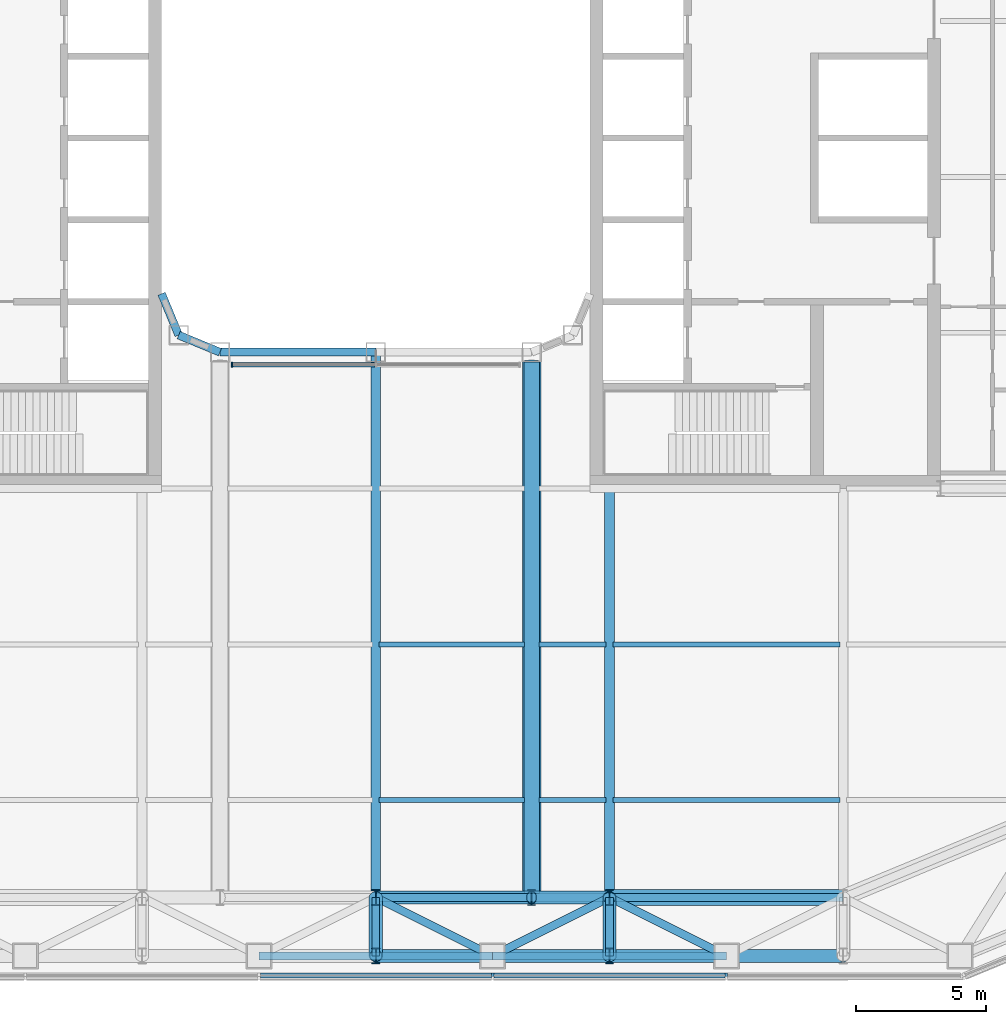
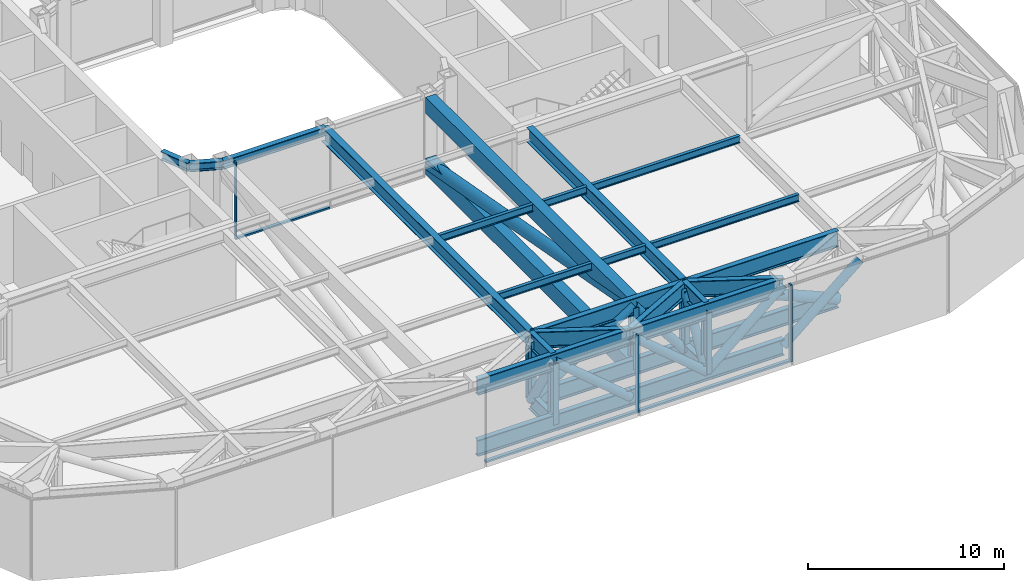
# One storey, part 4 of 33: 28 beams, 21 members, 2 elements without a shape of their own.
"""IFC4 building model written with IfcOpenShell, lengths in metres."""

from ifc_helpers import new_model, si_unit, direction, frame, origin, origin_2d, place, context, subcontext, project, spatial, rectangle, hollow_rectangle, hollow_circle, i_section, extrude, material, layer, layer_set, material_profile, profile_set, type_object, element, aggregate, save


model = new_model("IFC4")

# Units and contexts
model_context = context("Model", 3, precision=1e-05, world=origin(), true_north=direction((0.0, 1.0)))
body_context = subcontext(model_context, "Body", "Model", "MODEL_VIEW")
ifc_project = project(units=[si_unit("LENGTHUNIT", "METRE"), si_unit("AREAUNIT", "SQUARE_METRE"), si_unit("VOLUMEUNIT", "CUBIC_METRE"), si_unit("PLANEANGLEUNIT", "RADIAN"), si_unit("MASSUNIT", "GRAM", prefix="KILO")], contexts=[model_context])

# Site, building, storey
site_placement = place(None, origin())
site = spatial("IfcSite", under=ifc_project, at=site_placement, CompositionType="ELEMENT")
building_placement = place(site_placement, origin())
building = spatial("IfcBuilding", under=site, at=building_placement, Name="Siwar Civic Tower", CompositionType="ELEMENT")
storey_placement = place(building_placement, frame((0.0, 0.0, 94.199951171875)))
storey = spatial("IfcBuildingStorey", under=building, at=storey_placement, Name="L20", CompositionType="ELEMENT", Elevation=94.199951171875)

# Curtain wall, members
ifc_material_1 = material(Name="Aluminium and glass", Category="aluminium")
ifc_layer_1 = layer(ifc_material_1, 0.199951171875)
ifc_layer_set_1 = layer_set([ifc_layer_1], Name="Aluminium and glass")
curtain_wall_type_1 = type_object("IfcCurtainWallType", Name="ENV-CW-P", PredefinedType="NOTDEFINED", material=ifc_layer_set_1)
curtain_wall_1_placement = place(storey_placement, origin())
curtain_wall_1 = element("IfcCurtainWall", 1, at=curtain_wall_1_placement, inside=storey, type_object=curtain_wall_type_1, Name="Curtain wall P S", PredefinedType="NOTDEFINED")
ifc_material_2 = material(Name="Aluminium 6063-T6", Category="aluminium")
ifc_material_profile_1 = material_profile(ifc_material_2, rectangle(XDim=0.199951171875, YDim=0.10009765625, at=origin_2d()), Name="AL 200x100")
ifc_profile_set_1 = profile_set([ifc_material_profile_1], Name="Aluminium 6063-T6")
member_type_1 = type_object("IfcMemberType", Name="ENV-MULLION-P", PredefinedType="MULLION", material=ifc_profile_set_1)
member_1_placement = place(storey_placement, frame((4.5, -32.25, 0.0), z_axis=(0.0, 0.0, 1.0), x_axis=(0.0, 1.0, 0.0)))
member_1 = element("IfcMember", 2, at=member_1_placement, type_object=member_type_1, Name="Mullion P S 4", PredefinedType="MULLION", context=body_context, shape_type="SweptSolid", body=[
    extrude(rectangle(XDim=0.199951171875, YDim=0.10009765625, at=origin_2d()), origin(), (0.0, 0.0, 1.0), 4.800048828125),
])
member_2_placement = place(storey_placement, frame((13.5, -32.25, 0.0), z_axis=(0.0, 0.0, 1.0), x_axis=(0.0, 1.0, 0.0)))
member_2 = element("IfcMember", 3, at=member_2_placement, type_object=member_type_1, Name="Mullion P S 5", PredefinedType="MULLION", context=body_context, shape_type="SweptSolid", body=[
    extrude(rectangle(XDim=0.199951171875, YDim=0.10009765625, at=origin_2d()), origin(), (0.0, 0.0, 1.0), 4.800048828125),
])

# Curtain wall, member
ifc_material_3 = material(Name="Aluminium and glass", Category="aluminium")
ifc_layer_2 = layer(ifc_material_3, 0.179931640625)
ifc_layer_set_2 = layer_set([ifc_layer_2], Name="Aluminium and glass")
curtain_wall_type_2 = type_object("IfcCurtainWallType", Name="ENV-CW-W", PredefinedType="NOTDEFINED", material=ifc_layer_set_2)
curtain_wall_2_placement = place(storey_placement, origin())
curtain_wall_2 = element("IfcCurtainWall", 4, at=curtain_wall_2_placement, inside=storey, type_object=curtain_wall_type_2, Name="Curtain wall W WS-00", PredefinedType="NOTDEFINED")
ifc_material_4 = material(Name="Aluminium 6063-T6", Category="aluminium")
ifc_material_profile_2 = material_profile(ifc_material_4, rectangle(XDim=0.179931640625, YDim=0.06005859375, at=origin_2d()), Name="AL 180x60")
ifc_profile_set_2 = profile_set([ifc_material_profile_2], Name="Aluminium 6063-T6")
member_type_2 = type_object("IfcMemberType", Name="ENV-MULLION-W", PredefinedType="MULLION", material=ifc_profile_set_2)
member_3_placement = place(storey_placement, frame((-5.534423828125, -8.735107421875, 0.0), z_axis=(0.0, 0.0, 1.0), x_axis=(0.0, 1.0, 0.0)))
member_3 = element("IfcMember", 5, at=member_3_placement, type_object=member_type_2, Name="Mullion W WS-00 1", PredefinedType="MULLION", context=body_context, shape_type="SweptSolid", body=[
    extrude(rectangle(XDim=0.179931640625, YDim=0.06005859375, at=origin_2d()), origin(), (0.0, 0.0, 1.0), 4.800048828125),
])

# Member
ifc_material_5 = material(Name="Aluminium 6063-T6", Category="aluminium")
ifc_material_profile_3 = material_profile(ifc_material_5, rectangle(XDim=0.199951171875, YDim=0.1201171875, at=origin_2d()), Name="AL 200x120")
ifc_profile_set_3 = profile_set([ifc_material_profile_3], Name="Aluminium 6063-T6")
member_type_3 = type_object("IfcMemberType", Name="ENV-TRANSOM-P", PredefinedType="USERDEFINED", material=ifc_profile_set_3)
member_4_placement = place(storey_placement, frame((-4.449951171875, -32.25, 0.06005859375), z_axis=(1.0, 0.0, 0.0), x_axis=(0.0, 1.0, 0.0)))
member_4 = element("IfcMember", 6, at=member_4_placement, type_object=member_type_3, Name="Transom P S 3", ObjectType="TRANSOM", PredefinedType="USERDEFINED", context=body_context, shape_type="SweptSolid", body=[
    extrude(rectangle(XDim=0.199951171875, YDim=0.1201171875, at=origin_2d()), origin(), (0.0, 0.0, 1.0), 8.89990234375),
])

member_5_placement = place(storey_placement, frame((4.550048828125, -32.25, 0.06005859375), z_axis=(1.0, 0.0, 0.0), x_axis=(0.0, 1.0, 0.0)))
member_5 = element("IfcMember", 7, at=member_5_placement, type_object=member_type_3, Name="Transom P S 4", ObjectType="TRANSOM", PredefinedType="USERDEFINED", context=body_context, shape_type="SweptSolid", body=[
    extrude(rectangle(XDim=0.199951171875, YDim=0.1201171875, at=origin_2d()), origin(), (0.0, 0.0, 1.0), 8.89990234375),
])

aggregate(curtain_wall_1, [member_1, member_2, member_4, member_5])

ifc_material_6 = material(Name="Aluminium 6063-T6", Category="aluminium")
ifc_material_profile_4 = material_profile(ifc_material_6, rectangle(XDim=0.179931640625, YDim=0.10009765625, at=origin_2d()), Name="AL 180x100")
ifc_profile_set_4 = profile_set([ifc_material_profile_4], Name="Aluminium 6063-T6")
member_type_4 = type_object("IfcMemberType", Name="ENV-TRANSOM-W", PredefinedType="USERDEFINED", material=ifc_profile_set_4)
member_6_placement = place(storey_placement, frame((-5.50439453125, -8.735107421875, 0.050048828125), z_axis=(1.0, 0.0, 0.0), x_axis=(0.0, 1.0, 0.0)))
member_6 = element("IfcMember", 8, at=member_6_placement, type_object=member_type_4, Name="Transom W WS-00 1", ObjectType="TRANSOM", PredefinedType="USERDEFINED", context=body_context, shape_type="SweptSolid", body=[
    extrude(rectangle(XDim=0.179931640625, YDim=0.10009765625, at=origin_2d()), origin(), (0.0, 0.0, 1.0), 5.474365234375),
])

aggregate(curtain_wall_2, [member_3, member_6])

# Beams
ifc_material_7 = material(Name="Steel S460", Category="steel")
ifc_material_profile_5 = material_profile(ifc_material_7, i_section(OverallWidth=0.302001953125, OverallDepth=1.008056640625, WebThickness=0.02099609375, FlangeThickness=0.0400390625, FilletRadius=0.030029296875, at=origin_2d()), Name="HEM1000")
ifc_profile_set_5 = profile_set([ifc_material_profile_5], Name="Steel S460")
beam_type_1 = type_object("IfcBeamType", Name="STR-BELT-TRUSS-CHORD-HEM1000", PredefinedType="BEAM", material=ifc_profile_set_5)
for number, where, z_axis, x_axis, name in (
    (9, (0.0, -29.25, 0.504150390625), (1.0, 0.0, 0.0), (0.0, 1.0, 0.0), "Belt truss chord"),
    (10, (0.0, -29.25, 4.296142578125), (1.0, 0.0, 0.0), (0.0, 1.0, 0.0), "Belt truss chord"),
    (11, (9.0, -29.25, 0.504150390625), (1.0, 0.0, 0.0), (0.0, 1.0, 0.0), "Belt truss chord"),
    (12, (9.0, -29.25, 4.296142578125), (1.0, 0.0, 0.0), (0.0, 1.0, 0.0), "Belt truss chord"),
    (13, (-4.5, -31.5, 0.504150390625), (1.0, 0.0, 0.0), (0.0, 1.0, 0.0), "Belt truss chord"),
    (14, (-4.5, -31.5, 4.296142578125), (1.0, 0.0, 0.0), (0.0, 1.0, 0.0), "Belt truss chord"),
    (15, (4.5, -31.5, 0.504150390625), (1.0, 0.0, 0.0), (0.0, 1.0, 0.0), "Belt truss chord"),
    (16, (4.5, -31.5, 4.296142578125), (1.0, 0.0, 0.0), (0.0, 1.0, 0.0), "Belt truss chord"),
):
    element("IfcBeam", number, at=place(storey_placement, frame(where, z_axis=z_axis, x_axis=x_axis)), inside=storey, type_object=beam_type_1, Name=name, PredefinedType="BEAM", context=body_context, shape_type="SweptSolid", body=[
        extrude(i_section(OverallWidth=0.302001953125, OverallDepth=1.008056640625, WebThickness=0.02099609375, FlangeThickness=0.0400390625, FilletRadius=0.030029296875, at=origin_2d()), origin(), (0.0, 0.0, 1.0), 9.0),
    ])

# Members
ifc_material_8 = material(Name="Steel S355", Category="steel")
ifc_material_profile_6 = material_profile(ifc_material_8, hollow_circle(Radius=0.25390625, WallThickness=0.02490234375, at=origin_2d()), Name="CHS508x25")
ifc_profile_set_6 = profile_set([ifc_material_profile_6], Name="Steel S355")
member_type_5 = type_object("IfcMemberType", Name="STR-BELT-TRUSS-DIAGONAL-CHS508x25", PredefinedType="BRACE", material=ifc_profile_set_6)
member_7_placement = place(storey_placement, frame((-0.004150390625, -29.25, 0.50146484375), z_axis=(0.845320722688, 0.0, 0.534259184099), x_axis=(0.0, 1.0, 0.0)))
element("IfcMember", 17, at=member_7_placement, inside=storey, type_object=member_type_5, Name="Belt truss diagonal", PredefinedType="BRACE", context=body_context, shape_type="SweptSolid", body=[
    extrude(hollow_circle(Radius=0.25390625, WallThickness=0.02490234375, at=origin_2d()), origin(), (0.0, 0.0, 1.0), 7.107666015625),
])
member_8_placement = place(storey_placement, frame((9.003173828125, -29.25, 0.500244140625), z_axis=(-0.620470608021, 0.0, 0.784229701416), x_axis=(0.0, -1.0, 0.0)))
element("IfcMember", 18, at=member_8_placement, inside=storey, type_object=member_type_5, Name="Belt truss diagonal", PredefinedType="BRACE", context=body_context, shape_type="SweptSolid", body=[
    extrude(hollow_circle(Radius=0.25390625, WallThickness=0.02490234375, at=origin_2d()), origin(), (0.0, 0.0, 1.0), 4.84521484375),
])
for number, where, z_axis, x_axis, name in (
    (19, (4.50390625, -31.5, 0.500732421875), (-0.764699580999, 0.0, 0.644386957364), (0.0, -1.0, 0.0), "Belt truss diagonal"),
    (20, (9.00390625, -31.5, 0.500732421875), (-0.764699580999, 0.0, 0.644386957364), (0.0, -1.0, 0.0), "Belt truss diagonal"),
    (21, (8.99609375, -31.5, 0.500732421875), (0.764699580999, 0.0, 0.644386957364), (0.0, 1.0, 0.0), "Belt truss diagonal"),
    (22, (13.49609375, -31.5, 0.500732421875), (0.764699580999, 0.0, 0.644386957364), (0.0, 1.0, 0.0), "Belt truss diagonal"),
):
    element("IfcMember", number, at=place(storey_placement, frame(where, z_axis=z_axis, x_axis=x_axis)), inside=storey, type_object=member_type_5, Name=name, PredefinedType="BRACE", context=body_context, shape_type="SweptSolid", body=[
        extrude(hollow_circle(Radius=0.25390625, WallThickness=0.02490234375, at=origin_2d()), origin(), (0.0, 0.0, 1.0), 5.894775390625),
    ])
for number, where, z_axis, x_axis, name in (
    (23, (0.0, -29.24755859375, 0.499755859375), (0.0, -0.510256630496, 0.860022192176), (1.0, 0.0, 0.0), "Belt truss diagonal"),
    (24, (9.0, -31.50244140625, 0.499755859375), (0.0, 0.510256630496, 0.860022192176), (-1.0, 0.0, 0.0), "Belt truss diagonal"),
):
    element("IfcMember", number, at=place(storey_placement, frame(where, z_axis=z_axis, x_axis=x_axis)), inside=storey, type_object=member_type_5, Name=name, PredefinedType="BRACE", context=body_context, shape_type="SweptSolid", body=[
        extrude(hollow_circle(Radius=0.25390625, WallThickness=0.02490234375, at=origin_2d()), origin(), (0.0, 0.0, 1.0), 4.419189453125),
    ])
ifc_material_9 = material(Name="Steel S355", Category="steel")
ifc_material_profile_7 = material_profile(ifc_material_9, hollow_circle(Radius=0.304931640625, WallThickness=0.030029296875, at=origin_2d()), Name="CHS610x30")
ifc_profile_set_7 = profile_set([ifc_material_profile_7], Name="Steel S355")
member_type_6 = type_object("IfcMemberType", Name="STR-BELT-TRUSS-DIAGONAL-CHS610x30", PredefinedType="BRACE", material=ifc_profile_set_7)
member_9_placement = place(storey_placement, frame((18.004638671875, -29.25, 0.502197265625), z_axis=(-0.921543214524, 0.0, 0.388275808884), x_axis=(0.0, -1.0, 0.0)))
element("IfcMember", 25, at=member_9_placement, inside=storey, type_object=member_type_6, Name="Belt truss diagonal", PredefinedType="BRACE", context=body_context, shape_type="SweptSolid", body=[
    extrude(hollow_circle(Radius=0.304931640625, WallThickness=0.030029296875, at=origin_2d()), origin(), (0.0, 0.0, 1.0), 9.7763671875),
])

# Beams
ifc_material_10 = material(Name="Steel S460", Category="steel")
ifc_material_profile_8 = material_profile(ifc_material_10, i_section(OverallWidth=0.302001953125, OverallDepth=1.008056640625, WebThickness=0.02099609375, FlangeThickness=0.0400390625, FilletRadius=0.030029296875, at=origin_2d()), Name="HEM1000")
ifc_profile_set_8 = profile_set([ifc_material_profile_8], Name="Steel S460")
beam_type_2 = type_object("IfcBeamType", Name="STR-BELT-TRUSS-LADDER-CHORD-HEM1000", PredefinedType="BEAM", material=ifc_profile_set_8)
for number, where, z_axis, x_axis, name in (
    (26, (0.0, -29.25, 0.504150390625), (0.0, -1.0, 0.0), (1.0, 0.0, 0.0), "Belt truss ladder chord"),
    (27, (0.0, -29.25, 4.296142578125), (0.0, -1.0, 0.0), (1.0, 0.0, 0.0), "Belt truss ladder chord"),
    (28, (9.0, -29.25, 0.504150390625), (0.0, -1.0, 0.0), (1.0, 0.0, 0.0), "Belt truss ladder chord"),
    (29, (9.0, -29.25, 4.296142578125), (0.0, -1.0, 0.0), (1.0, 0.0, 0.0), "Belt truss ladder chord"),
):
    element("IfcBeam", number, at=place(storey_placement, frame(where, z_axis=z_axis, x_axis=x_axis)), inside=storey, type_object=beam_type_2, Name=name, PredefinedType="BEAM", context=body_context, shape_type="SweptSolid", body=[
        extrude(i_section(OverallWidth=0.302001953125, OverallDepth=1.008056640625, WebThickness=0.02099609375, FlangeThickness=0.0400390625, FilletRadius=0.030029296875, at=origin_2d()), origin(), (0.0, 0.0, 1.0), 2.25),
    ])

# Members
ifc_material_11 = material(Name="Steel S355", Category="steel")
ifc_material_profile_9 = material_profile(ifc_material_11, i_section(OverallWidth=0.300048828125, OverallDepth=0.60009765625, WebThickness=0.015380859375, FlangeThickness=0.030029296875, FilletRadius=0.027099609375, at=origin_2d()), Name="HEB600")
ifc_profile_set_9 = profile_set([ifc_material_profile_9], Name="Steel S355")
member_type_7 = type_object("IfcMemberType", Name="STR-BELT-TRUSS-POST-HEB600", PredefinedType="POST", material=ifc_profile_set_9)
for number, where, z_axis, x_axis, name in (
    (30, (0.0, -31.5, 0.504150390625), (0.0, 0.0, 1.0), (1.0, 0.0, 0.0), "Belt truss post"),
    (31, (0.0, -29.25, 0.504150390625), (0.0, 0.0, 1.0), (1.0, 0.0, 0.0), "Belt truss post"),
    (32, (6.0, -29.25, 0.504150390625), (0.0, 0.0, 1.0), (1.0, 0.0, 0.0), "Belt truss post"),
    (33, (9.0, -31.5, 0.504150390625), (0.0, 0.0, 1.0), (1.0, 0.0, 0.0), "Belt truss post"),
    (34, (9.0, -29.25, 0.504150390625), (0.0, 0.0, 1.0), (1.0, 0.0, 0.0), "Belt truss post"),
):
    element("IfcMember", number, at=place(storey_placement, frame(where, z_axis=z_axis, x_axis=x_axis)), inside=storey, type_object=member_type_7, Name=name, PredefinedType="POST", context=body_context, shape_type="SweptSolid", body=[
        extrude(i_section(OverallWidth=0.300048828125, OverallDepth=0.60009765625, WebThickness=0.015380859375, FlangeThickness=0.030029296875, FilletRadius=0.027099609375, at=origin_2d()), origin(), (0.0, 0.0, 1.0), 3.7919921875),
    ])

# Beams
ifc_material_12 = material(Name="Steel S355", Category="steel")
ifc_material_profile_10 = material_profile(ifc_material_12, i_section(OverallWidth=0.18994140625, OverallDepth=0.449951171875, WebThickness=0.009521484375, FlangeThickness=0.0146484375, FilletRadius=0.02099609375, at=origin_2d()), Name="IPE450")
ifc_profile_set_10 = profile_set([ifc_material_profile_10], Name="Steel S355")
beam_type_3 = type_object("IfcBeamType", Name="STR-FB-IPE450", PredefinedType="JOIST", material=ifc_profile_set_10)
beam_1_placement = place(storey_placement, frame((0.1298828125, -25.5, 4.574951171875), z_axis=(1.0, 0.0, 0.0), x_axis=(0.0, 1.0, 0.0)))
element("IfcBeam", 35, at=beam_1_placement, inside=storey, type_object=beam_type_3, Name="L20/bm/F005", PredefinedType="JOIST", context=body_context, shape_type="SweptSolid", body=[
    extrude(i_section(OverallWidth=0.18994140625, OverallDepth=0.449951171875, WebThickness=0.009521484375, FlangeThickness=0.0146484375, FilletRadius=0.02099609375, at=origin_2d()), origin(), (0.0, 0.0, 1.0), 5.590087890625),
])
beam_2_placement = place(storey_placement, frame((6.280029296875, -25.5, 4.574951171875), z_axis=(1.0, 0.0, 0.0), x_axis=(0.0, 1.0, 0.0)))
element("IfcBeam", 36, at=beam_2_placement, inside=storey, type_object=beam_type_3, Name="L20/bm/F006", PredefinedType="JOIST", context=body_context, shape_type="SweptSolid", body=[
    extrude(i_section(OverallWidth=0.18994140625, OverallDepth=0.449951171875, WebThickness=0.009521484375, FlangeThickness=0.0146484375, FilletRadius=0.02099609375, at=origin_2d()), origin(), (0.0, 0.0, 1.0), 2.590087890625),
])
beam_3_placement = place(storey_placement, frame((9.1298828125, -25.5, 4.574951171875), z_axis=(1.0, 0.0, 0.0), x_axis=(0.0, 1.0, 0.0)))
element("IfcBeam", 37, at=beam_3_placement, inside=storey, type_object=beam_type_3, Name="L20/bm/F007", PredefinedType="JOIST", context=body_context, shape_type="SweptSolid", body=[
    extrude(i_section(OverallWidth=0.18994140625, OverallDepth=0.449951171875, WebThickness=0.009521484375, FlangeThickness=0.0146484375, FilletRadius=0.02099609375, at=origin_2d()), origin(), (0.0, 0.0, 1.0), 8.740234375),
])
beam_4_placement = place(storey_placement, frame((0.1298828125, -19.5, 4.574951171875), z_axis=(1.0, 0.0, 0.0), x_axis=(0.0, 1.0, 0.0)))
element("IfcBeam", 38, at=beam_4_placement, inside=storey, type_object=beam_type_3, Name="L20/bm/F013", PredefinedType="JOIST", context=body_context, shape_type="SweptSolid", body=[
    extrude(i_section(OverallWidth=0.18994140625, OverallDepth=0.449951171875, WebThickness=0.009521484375, FlangeThickness=0.0146484375, FilletRadius=0.02099609375, at=origin_2d()), origin(), (0.0, 0.0, 1.0), 5.590087890625),
])
beam_5_placement = place(storey_placement, frame((6.280029296875, -19.5, 4.574951171875), z_axis=(1.0, 0.0, 0.0), x_axis=(0.0, 1.0, 0.0)))
element("IfcBeam", 39, at=beam_5_placement, inside=storey, type_object=beam_type_3, Name="L20/bm/F014", PredefinedType="JOIST", context=body_context, shape_type="SweptSolid", body=[
    extrude(i_section(OverallWidth=0.18994140625, OverallDepth=0.449951171875, WebThickness=0.009521484375, FlangeThickness=0.0146484375, FilletRadius=0.02099609375, at=origin_2d()), origin(), (0.0, 0.0, 1.0), 2.590087890625),
])
beam_6_placement = place(storey_placement, frame((9.1298828125, -19.5, 4.574951171875), z_axis=(1.0, 0.0, 0.0), x_axis=(0.0, 1.0, 0.0)))
element("IfcBeam", 40, at=beam_6_placement, inside=storey, type_object=beam_type_3, Name="L20/bm/F015", PredefinedType="JOIST", context=body_context, shape_type="SweptSolid", body=[
    extrude(i_section(OverallWidth=0.18994140625, OverallDepth=0.449951171875, WebThickness=0.009521484375, FlangeThickness=0.0146484375, FilletRadius=0.02099609375, at=origin_2d()), origin(), (0.0, 0.0, 1.0), 8.740234375),
])
ifc_material_13 = material(Name="Steel S460", Category="steel")
ifc_material_profile_11 = material_profile(ifc_material_13, hollow_rectangle(XDim=0.60009765625, YDim=1.008056640625, WallThickness=0.06005859375, at=origin_2d()), Name="BOX1008x600x60")
ifc_profile_set_11 = profile_set([ifc_material_profile_11], Name="Steel S460")
beam_type_4 = type_object("IfcBeamType", Name="STR-OUTRIGGER-TRUSS-CHORD-BOX1008x600x60", PredefinedType="BEAM", material=ifc_profile_set_11)
for number, where, z_axis, x_axis, name in (
    (41, (6.0, -29.25, 0.504150390625), (0.0, 1.0, 0.0), (-1.0, 0.0, 0.0), "Outrigger truss chord"),
    (42, (6.0, -29.25, 4.296142578125), (0.0, 1.0, 0.0), (-1.0, 0.0, 0.0), "Outrigger truss chord"),
):
    element("IfcBeam", number, at=place(storey_placement, frame(where, z_axis=z_axis, x_axis=x_axis)), inside=storey, type_object=beam_type_4, Name=name, PredefinedType="BEAM", context=body_context, shape_type="SweptSolid", body=[
        extrude(hollow_rectangle(XDim=0.60009765625, YDim=1.008056640625, WallThickness=0.06005859375, at=origin_2d()), origin(), (0.0, 0.0, 1.0), 20.625),
    ])

# Member
ifc_material_14 = material(Name="Steel S355", Category="steel")
ifc_material_profile_12 = material_profile(ifc_material_14, hollow_circle(Radius=0.35546875, WallThickness=0.0400390625, at=origin_2d()), Name="CHS711x40")
ifc_profile_set_12 = profile_set([ifc_material_profile_12], Name="Steel S355")
member_type_8 = type_object("IfcMemberType", Name="STR-OUTRIGGER-TRUSS-DIAGONAL-CHS711x40", PredefinedType="BRACE", material=ifc_profile_set_12)
member_10_placement = place(storey_placement, frame((6.0, -8.6201171875, 0.503173828125), z_axis=(0.0, -0.983516307221, 0.18081944981), x_axis=(1.0, 0.0, 0.0)))
element("IfcMember", 43, at=member_10_placement, inside=storey, type_object=member_type_8, Name="Outrigger truss diagonal", PredefinedType="BRACE", context=body_context, shape_type="SweptSolid", body=[
    extrude(hollow_circle(Radius=0.35546875, WallThickness=0.0400390625, at=origin_2d()), origin(), (0.0, 0.0, 1.0), 20.980712890625),
])

# Beams
ifc_material_15 = material(Name="Steel S355", Category="steel")
ifc_material_profile_13 = material_profile(ifc_material_15, i_section(OverallWidth=0.3798828125, OverallDepth=0.89990234375, WebThickness=0.01611328125, FlangeThickness=0.035888671875, at=origin_2d()), Name="PG900x380x16x36")
ifc_profile_set_13 = profile_set([ifc_material_profile_13], Name="Steel S355")
beam_type_5 = type_object("IfcBeamType", Name="STR-PG-PG900x380x16x36", PredefinedType="BEAM", material=ifc_profile_set_13)
beam_7_placement = place(storey_placement, frame((0.0, -29.25, 4.35009765625), z_axis=(0.0, 1.0, 0.0), x_axis=(-1.0, 0.0, 0.0)))
element("IfcBeam", 44, at=beam_7_placement, inside=storey, type_object=beam_type_5, Name="L20/bm/G05", PredefinedType="BEAM", context=body_context, shape_type="SweptSolid", body=[
    extrude(i_section(OverallWidth=0.3798828125, OverallDepth=0.89990234375, WebThickness=0.01611328125, FlangeThickness=0.035888671875, at=origin_2d()), origin(), (0.0, 0.0, 1.0), 21.0),
])
beam_8_placement = place(storey_placement, frame((9.0, -29.25, 4.35009765625), z_axis=(0.0, 1.0, 0.0), x_axis=(-1.0, 0.0, 0.0)))
element("IfcBeam", 45, at=beam_8_placement, inside=storey, type_object=beam_type_5, Name="L20/bm/G07", PredefinedType="BEAM", context=body_context, shape_type="SweptSolid", body=[
    extrude(i_section(OverallWidth=0.3798828125, OverallDepth=0.89990234375, WebThickness=0.01611328125, FlangeThickness=0.035888671875, at=origin_2d()), origin(), (0.0, 0.0, 1.0), 15.75),
])
ifc_material_16 = material(Name="Steel S355", Category="steel")
ifc_material_profile_14 = material_profile(ifc_material_16, i_section(OverallWidth=0.305908203125, OverallDepth=0.52392578125, WebThickness=0.02099609375, FlangeThickness=0.0400390625, FilletRadius=0.027099609375, at=origin_2d()), Name="HEM500")
ifc_profile_set_14 = profile_set([ifc_material_profile_14], Name="Steel S355")
beam_type_6 = type_object("IfcBeamType", Name="STR-RB-HEM500", PredefinedType="BEAM", material=ifc_profile_set_14)
beam_9_placement = place(storey_placement, frame((-7.591064453125, -7.591064453125, 4.5380859375), z_axis=(0.923901072997, -0.382631424892, 0.0), x_axis=(0.382631424892, 0.923901072997, 0.0)))
element("IfcBeam", 46, at=beam_9_placement, inside=storey, type_object=beam_type_6, Name="L20/bm/RS0", PredefinedType="BEAM", context=body_context, shape_type="SweptSolid", body=[
    extrude(i_section(OverallWidth=0.305908203125, OverallDepth=0.52392578125, WebThickness=0.02099609375, FlangeThickness=0.0400390625, FilletRadius=0.027099609375, at=origin_2d()), origin(), (0.0, 0.0, 1.0), 1.72216796875),
])
beam_10_placement = place(storey_placement, frame((-6.0, -8.25, 4.5380859375), z_axis=(1.0, 0.0, 0.0), x_axis=(0.0, 1.0, 0.0)))
element("IfcBeam", 47, at=beam_10_placement, inside=storey, type_object=beam_type_6, Name="L20/bm/RS1", PredefinedType="BEAM", context=body_context, shape_type="SweptSolid", body=[
    extrude(i_section(OverallWidth=0.305908203125, OverallDepth=0.52392578125, WebThickness=0.02099609375, FlangeThickness=0.0400390625, FilletRadius=0.027099609375, at=origin_2d()), origin(), (0.0, 0.0, 1.0), 6.0),
])
beam_11_placement = place(storey_placement, frame((-7.591064453125, -7.591064453125, 4.5380859375), z_axis=(-0.382631424892, 0.923901072997, 0.0), x_axis=(-0.923901072997, -0.382631424892, 0.0)))
element("IfcBeam", 48, at=beam_11_placement, inside=storey, type_object=beam_type_6, Name="L20/bm/RSEW", PredefinedType="BEAM", context=body_context, shape_type="SweptSolid", body=[
    extrude(i_section(OverallWidth=0.305908203125, OverallDepth=0.52392578125, WebThickness=0.02099609375, FlangeThickness=0.0400390625, FilletRadius=0.027099609375, at=origin_2d()), origin(), (0.0, 0.0, 1.0), 1.72216796875),
])
ifc_material_17 = material(Name="Steel S460", Category="steel")
ifc_material_profile_15 = material_profile(ifc_material_17, i_section(OverallWidth=0.302001953125, OverallDepth=1.008056640625, WebThickness=0.02099609375, FlangeThickness=0.0400390625, FilletRadius=0.030029296875, at=origin_2d()), Name="HEM1000")
ifc_profile_set_15 = profile_set([ifc_material_profile_15], Name="Steel S460")
beam_type_7 = type_object("IfcBeamType", Name="STR-TRANSFER-GIRDER-HEM1000", PredefinedType="BEAM", material=ifc_profile_set_15)
for number, where, z_axis, x_axis, name in (
    (49, (0.0, -29.25, 4.296142578125), (0.894427191, -0.4472135955, 0.0), (0.4472135955, 0.894427191, 0.0), "Transfer girder"),
    (50, (9.0, -29.25, 4.296142578125), (-0.894427191, -0.4472135955, 0.0), (0.4472135955, -0.894427191, 0.0), "Transfer girder"),
    (51, (9.0, -29.25, 4.296142578125), (0.894427191, -0.4472135955, 0.0), (0.4472135955, 0.894427191, 0.0), "Transfer girder"),
):
    element("IfcBeam", number, at=place(storey_placement, frame(where, z_axis=z_axis, x_axis=x_axis)), inside=storey, type_object=beam_type_7, Name=name, PredefinedType="BEAM", context=body_context, shape_type="SweptSolid", body=[
        extrude(i_section(OverallWidth=0.302001953125, OverallDepth=1.008056640625, WebThickness=0.02099609375, FlangeThickness=0.0400390625, FilletRadius=0.030029296875, at=origin_2d()), origin(), (0.0, 0.0, 1.0), 5.03125),
    ])

save(model, "model.ifc")
